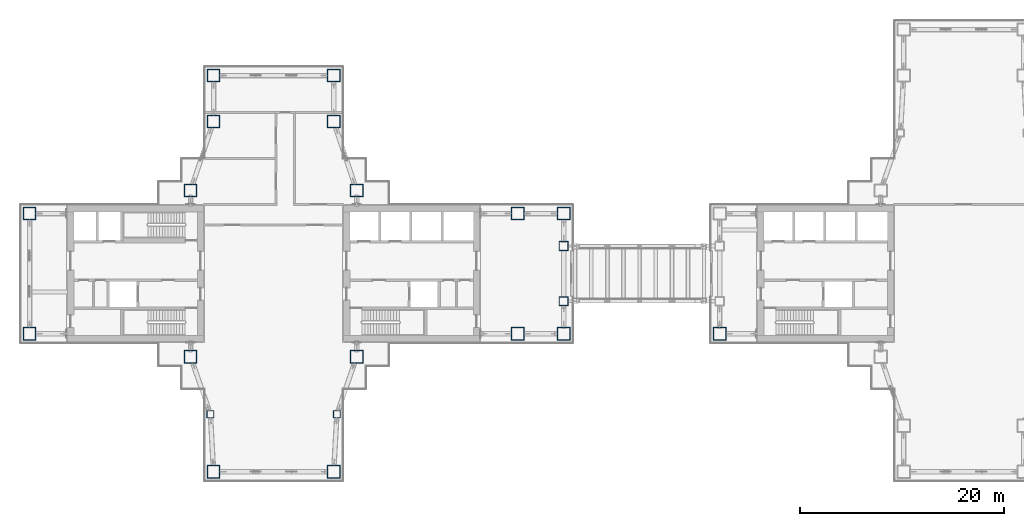
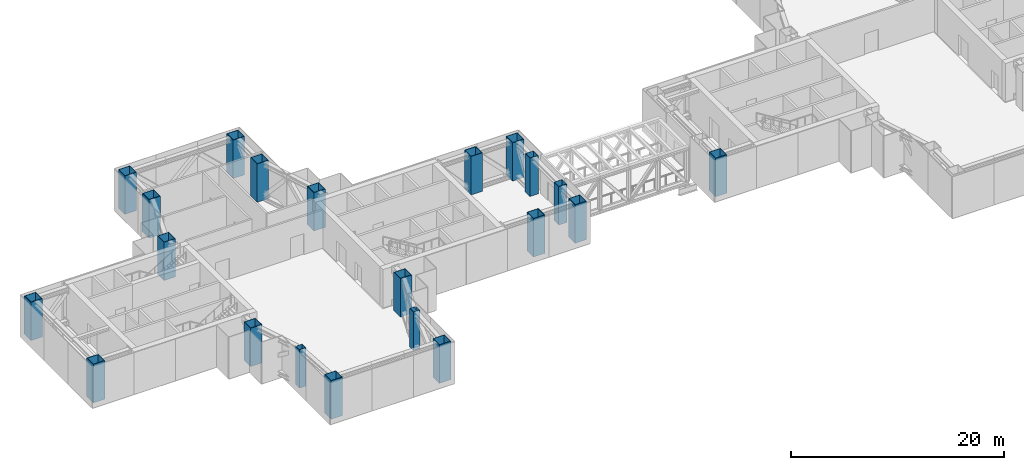
# One storey, part 1 of 21: 21 columns.
"""IFC4 building model written with IfcOpenShell, lengths in metres."""

from ifc_helpers import new_model, si_unit, direction, frame, origin, origin_2d, place, context, subcontext, project, spatial, hollow_rectangle, extrude, material, material_profile, profile_set, type_object, element, save


model = new_model("IFC4")

# Units and contexts
model_context = context("Model", 3, precision=1e-05, world=origin(), true_north=direction((0.0, 1.0)))
body_context = subcontext(model_context, "Body", "Model", "MODEL_VIEW")
ifc_project = project(units=[si_unit("LENGTHUNIT", "METRE"), si_unit("AREAUNIT", "SQUARE_METRE"), si_unit("VOLUMEUNIT", "CUBIC_METRE"), si_unit("PLANEANGLEUNIT", "RADIAN"), si_unit("MASSUNIT", "GRAM", prefix="KILO")], contexts=[model_context])

# Site, building, storey
site_placement = place(None, origin())
site = spatial("IfcSite", under=ifc_project, at=site_placement, CompositionType="ELEMENT")
building_placement = place(site_placement, origin())
building = spatial("IfcBuilding", under=site, at=building_placement, Name="Shamsa Quay Exchange Towers", CompositionType="ELEMENT")
storey_placement = place(building_placement, frame((0.0, 0.0, 128.699951171875)))
storey = spatial("IfcBuildingStorey", under=building, at=storey_placement, Name="L30", CompositionType="ELEMENT", Elevation=128.699951171875)

# Columns
ifc_material_1 = material(Name="Concrete-filled steel tube S355 / C80/95", Category="concrete")
ifc_material_profile_1 = material_profile(ifc_material_1, hollow_rectangle(XDim=1.25, YDim=1.25, WallThickness=0.050048828125, at=origin_2d()), Name="CFT 1250x1250x50")
ifc_profile_set_1 = profile_set([ifc_material_profile_1], Name="Concrete-filled steel tube S355 / C80/95")
column_type_1 = type_object("IfcColumnType", Name="Column CFT 1250x1250x50", PredefinedType="COLUMN", material=ifc_profile_set_1)
for number, where, name in (
    (1, (-25.625, 8.125, 0.0), "Mega column T1-CM01"),
    (2, (-25.625, -8.125, 0.0), "Mega column T1-CM02"),
    (3, (-41.875, 8.125, 0.0), "Mega column T1-CM03"),
    (4, (-41.875, -8.125, 0.0), "Mega column T1-CM04"),
    (5, (-9.875, -5.875, 0.0), "Mega column T1-CM05"),
    (6, (-5.375, -5.875, 0.0), "Mega column T1-CM06"),
    (7, (-9.875, 5.875, 0.0), "Mega column T1-CM07"),
    (8, (-5.375, 5.875, 0.0), "Mega column T1-CM08"),
    (9, (-57.625, -5.875, 0.0), "Mega column T1-CM09"),
    (10, (-57.625, 5.875, 0.0), "Mega column T1-CM11"),
    (11, (-39.625, 14.875, 0.0), "Mega column T1-CM13"),
    (12, (-39.625, 19.375, 0.0), "Mega column T1-CM14"),
    (13, (-27.875, 14.875, 0.0), "Mega column T1-CM16"),
    (14, (-27.875, 19.375, 0.0), "Mega column T1-CM17"),
    (15, (-39.625, -19.375, 0.0), "Mega column T1-CM20"),
    (16, (-27.875, -19.375, 0.0), "Mega column T1-CM23"),
    (17, (9.875, -5.875, 0.0), "Mega column T2-CM19"),
):
    element("IfcColumn", number, at=place(storey_placement, frame(where)), inside=storey, type_object=column_type_1, Name=name, PredefinedType="COLUMN", context=body_context, shape_type="SweptSolid", body=[
        extrude(hollow_rectangle(XDim=1.25, YDim=1.25, WallThickness=0.050048828125, at=origin_2d()), origin(), (0.0, 0.0, 1.0), 4.400146484375),
    ])
ifc_material_2 = material(Name="Concrete-filled steel tube S355 / C60/75", Category="concrete")
ifc_material_profile_2 = material_profile(ifc_material_2, hollow_rectangle(XDim=0.699951171875, YDim=0.699951171875, WallThickness=0.02490234375, at=origin_2d()), Name="CFT 700x700x25")
ifc_profile_set_2 = profile_set([ifc_material_profile_2], Name="Concrete-filled steel tube S355 / C60/75")
column_type_2 = type_object("IfcColumnType", Name="Column CFT 700x700x25", PredefinedType="COLUMN", material=ifc_profile_set_2)
for number, where, name in (
    (18, (-39.9375, -13.75, 0.0), "Perimeter column T1-CP19"),
    (19, (-27.5625, -13.75, 0.0), "Perimeter column T1-CP22"),
):
    element("IfcColumn", number, at=place(storey_placement, frame(where)), inside=storey, type_object=column_type_2, Name=name, PredefinedType="COLUMN", context=body_context, shape_type="SweptSolid", body=[
        extrude(hollow_rectangle(XDim=0.699951171875, YDim=0.699951171875, WallThickness=0.02490234375, at=origin_2d()), origin(), (0.0, 0.0, 1.0), 4.400146484375),
    ])
ifc_material_3 = material(Name="Concrete-filled steel tube S355 / C70/85", Category="concrete")
ifc_material_profile_3 = material_profile(ifc_material_3, hollow_rectangle(XDim=0.89990234375, YDim=0.89990234375, WallThickness=0.035888671875, at=origin_2d()), Name="CFT 900x900x36")
ifc_profile_set_3 = profile_set([ifc_material_profile_3], Name="Concrete-filled steel tube S355 / C70/85")
column_type_3 = type_object("IfcColumnType", Name="Landing column CFT 900x900x36", PredefinedType="COLUMN", material=ifc_profile_set_3)
for number, where, name in (
    (20, (-5.375, -2.699951171875, 0.0), "Landing column T1 S"),
    (21, (-5.375, 2.699951171875, 0.0), "Landing column T1 N"),
):
    element("IfcColumn", number, at=place(storey_placement, frame(where)), inside=storey, type_object=column_type_3, Name=name, PredefinedType="COLUMN", context=body_context, shape_type="SweptSolid", body=[
        extrude(hollow_rectangle(XDim=0.89990234375, YDim=0.89990234375, WallThickness=0.035888671875, at=origin_2d()), origin(), (0.0, 0.0, 1.0), 4.400146484375),
    ])

save(model, "model.ifc")
